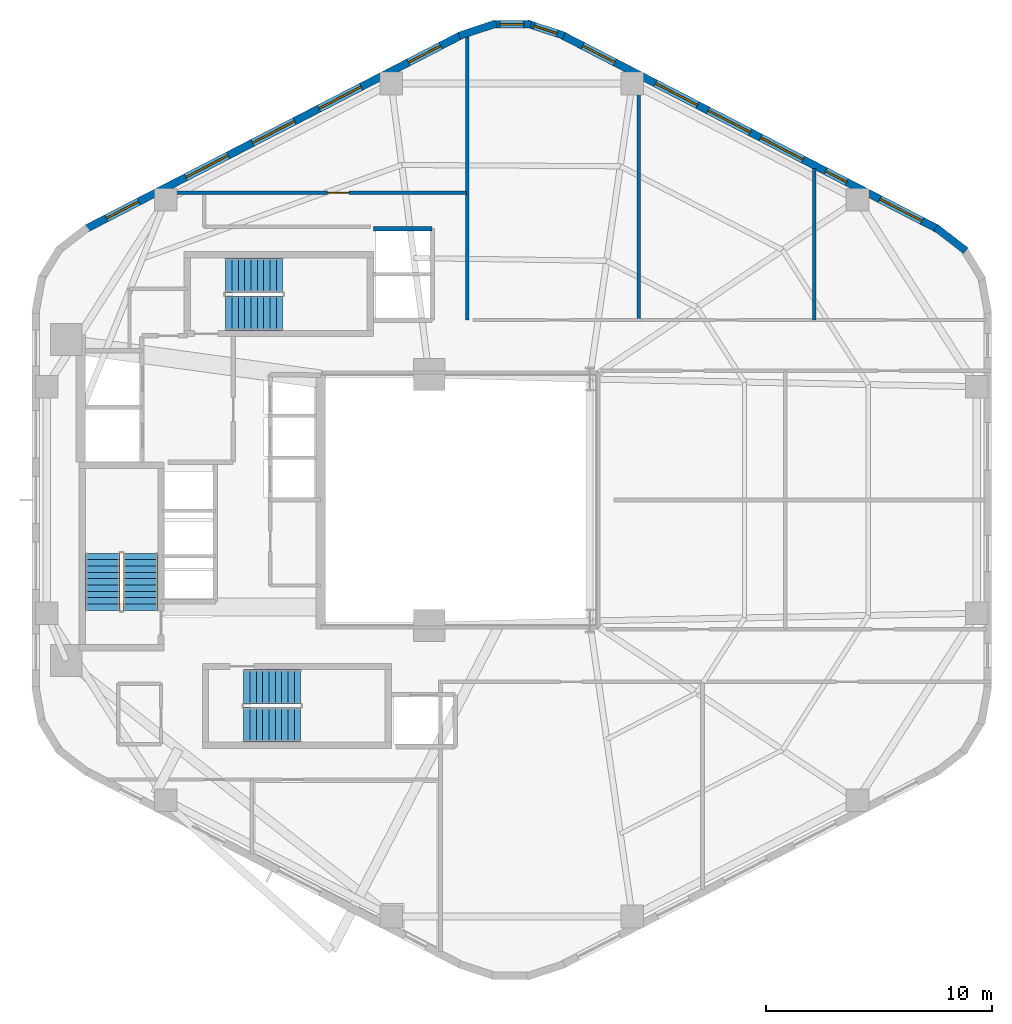
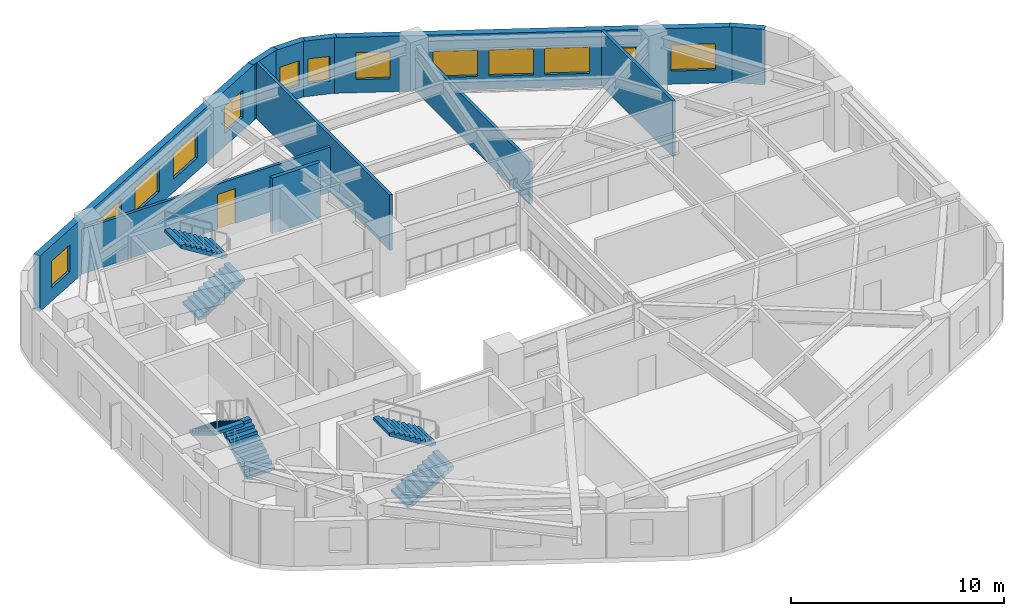
# One storey, part 5 of 6: 13 windows, 11 walls, 6 stair flights, 1 door, 14 openings, 3 elements without a shape of their own.
"""IFC4 building model written with IfcOpenShell, lengths in metres."""

from ifc_helpers import new_model, si_unit, direction, frame, frame_2d, origin, place, context, subcontext, project, spatial, polyline, rectangle, outline, extrude, material, layer, layer_set, type_object, element, fill, aggregate, save


model = new_model("IFC4")

# Units and contexts
model_context = context("Model", 3, precision=1e-05, world=origin(), true_north=direction((0.0, 1.0)))
body_context = subcontext(model_context, "Body", "Model", "MODEL_VIEW")
ifc_project = project(units=[si_unit("LENGTHUNIT", "METRE"), si_unit("AREAUNIT", "SQUARE_METRE"), si_unit("VOLUMEUNIT", "CUBIC_METRE"), si_unit("PLANEANGLEUNIT", "RADIAN"), si_unit("MASSUNIT", "GRAM", prefix="KILO"), si_unit("THERMODYNAMICTEMPERATUREUNIT", "KELVIN"), si_unit("POWERUNIT", "WATT")], contexts=[model_context])

# Site, building, storey
site_placement = place(None, origin())
site = spatial("IfcSite", under=ifc_project, at=site_placement, CompositionType="ELEMENT")
building_placement = place(site_placement, origin())
building = spatial("IfcBuilding", under=site, at=building_placement, Name="Skarre Station Tower", CompositionType="ELEMENT")
storey_placement = place(building_placement, frame((0.0, 0.0, 156.75)))
storey = spatial("IfcBuildingStorey", under=building, at=storey_placement, Name="L42", CompositionType="ELEMENT", Elevation=156.75)

# Wall, opening, door
ifc_material_1 = material(Name="Acoustic Steel-Stud Gypsum Partition", Category="steel")
ifc_layer_1 = layer(ifc_material_1, 0.14990234375, Name="Acoustic Steel-Stud Gypsum Partition")
ifc_layer_set_1 = layer_set([ifc_layer_1], Name="Acoustic Steel-Stud Gypsum Partition")
wall_type_1 = type_object("IfcWallType", Name="Fire-Rated Corridor Acoustic Partition 150", PredefinedType="PARTITIONING", material=ifc_layer_set_1)
wall_1_placement = place(storey_placement, frame((34.0, 37.580078125, 0.0), z_axis=(0.0, 0.0, 1.0), x_axis=(-1.0, 0.0, 0.0)))
wall_1 = element("IfcWall", 1, at=wall_1_placement, inside=storey, type_object=wall_type_1, Name="L42 Interior Partition WL-PT-L42-NWW1-CW", PredefinedType="PARTITIONING", context=body_context, shape_type="SweptSolid", body=[
    extrude(rectangle(XDim=13.70703125, YDim=0.14990234375, at=frame_2d((6.853515625, 0.0))), origin(), (0.0, 0.0, 1.0), 2.58203125),
])
opening_1_placement = place(wall_1_placement, frame((5.195068359375, 0.0, 0.0)))
opening_1 = element("IfcOpeningElement", 2, at=opening_1_placement, cuts=wall_1, Name="Opening DR-FD60", PredefinedType="OPENING", context=body_context, shape_type="SweptSolid", body=[
    extrude(rectangle(XDim=0.9599609375, YDim=2.0, at=frame_2d((0.47998046875, 1.0))), frame((0.0, 0.0849609375, 0.0), z_axis=(0.0, -1.0, 0.0), x_axis=(1.0, 0.0, 0.0)), (0.0, 0.0, 1.0), 0.169921875),
])
ifc_material_2 = material(Name="Nordic White-Oak Veneer Solid-Core Fire Leaf", Category="wood")
door_type = type_object("IfcDoorType", Name="Corridor Suite Entry Fire Door FD60 960x2150", OperationType="SINGLE_SWING_LEFT", PredefinedType="DOOR", material=ifc_material_2)
door_placement = place(opening_1_placement, origin())
door = element("IfcDoor", 3, at=door_placement, inside=storey, type_object=door_type, Name="L42 NWW1 Entry Door", OperationType="SINGLE_SWING_LEFT", OverallHeight=2.0, OverallWidth=0.9599609375, PredefinedType="DOOR", context=body_context, shape_type="SweptSolid", body=[
    extrude(rectangle(XDim=0.9599609375, YDim=2.0, at=frame_2d((0.47998046875, 1.0))), frame((0.0, 0.02490234375, 0.0), z_axis=(0.0, -1.0, 0.0), x_axis=(1.0, 0.0, 0.0)), (0.0, 0.0, 1.0), 0.050048828125),
])
fill(opening_1, door)

# Wall, openings, windows
ifc_material_3 = material(Name="Precast concrete C45/55", Category="concrete")
ifc_layer_2 = layer(ifc_material_3, 0.340087890625, Name="Precast concrete C45/55")
ifc_layer_set_2 = layer_set([ifc_layer_2], Name="Precast concrete C45/55")
wall_type_2 = type_object("IfcWallType", Name="Nordic Honed Precast Facet Wall 340", PredefinedType="STANDARD", material=ifc_layer_set_2)
wall_2_placement = place(storey_placement, frame((38.23095703125, 44.55810546875, 0.0), z_axis=(0.0, 0.0, 1.0), x_axis=(0.888613612362, -0.458656568606, 0.0)))
wall_2 = element("IfcWall", 4, at=wall_2_placement, inside=storey, type_object=wall_type_2, Name="L42 Facet 0 Nordic Precast Masonry Wall", PredefinedType="STANDARD", context=body_context, shape_type="SweptSolid", body=[
    extrude(rectangle(XDim=18.680908203125, YDim=0.340087890625, at=frame_2d((9.34033203125, 0.0))), origin(), (0.0, 0.0, 1.0), 3.18994140625),
])
opening_2_placement = place(wall_2_placement, frame((1.02294921875, 0.0, 0.75)))
opening_2 = element("IfcOpeningElement", 5, at=opening_2_placement, cuts=wall_2, Name="Opening WN-Z2A", PredefinedType="OPENING", context=body_context, shape_type="SweptSolid", body=[
    extrude(rectangle(XDim=1.60009765625, YDim=1.550048828125, at=frame_2d((0.800048828125, 0.77490234375))), frame((0.0, 0.179931640625, 0.0), z_axis=(0.0, -1.0, 0.0), x_axis=(1.0, 0.0, 0.0)), (0.0, 0.0, 1.0), 0.360107421875),
])
opening_3_placement = place(wall_2_placement, frame((4.637939453125, 0.0, 0.75)))
opening_3 = element("IfcOpeningElement", 6, at=opening_3_placement, cuts=wall_2, Name="Opening WN-Z2B", PredefinedType="OPENING", context=body_context, shape_type="SweptSolid", body=[
    extrude(rectangle(XDim=2.10009765625, YDim=1.5, at=frame_2d((1.050048828125, 0.75))), frame((0.0, 0.179931640625, 0.0), z_axis=(0.0, -1.0, 0.0), x_axis=(1.0, 0.0, 0.0)), (0.0, 0.0, 1.0), 0.360107421875),
])
opening_4_placement = place(wall_2_placement, frame((7.261962890625, 0.0, 0.75)))
opening_4 = element("IfcOpeningElement", 7, at=opening_4_placement, cuts=wall_2, Name="Opening WN-Z2B", PredefinedType="OPENING", context=body_context, shape_type="SweptSolid", body=[
    extrude(rectangle(XDim=2.10009765625, YDim=1.5, at=frame_2d((1.050048828125, 0.75))), frame((0.0, 0.179931640625, 0.0), z_axis=(0.0, -1.0, 0.0), x_axis=(1.0, 0.0, 0.0)), (0.0, 0.0, 1.0), 0.360107421875),
])
opening_5_placement = place(wall_2_placement, frame((9.885009765625, 0.0, 0.75)))
opening_5 = element("IfcOpeningElement", 8, at=opening_5_placement, cuts=wall_2, Name="Opening WN-Z2B", PredefinedType="OPENING", context=body_context, shape_type="SweptSolid", body=[
    extrude(rectangle(XDim=2.10009765625, YDim=1.5, at=frame_2d((1.050048828125, 0.75))), frame((0.0, 0.179931640625, 0.0), z_axis=(0.0, -1.0, 0.0), x_axis=(1.0, 0.0, 0.0)), (0.0, 0.0, 1.0), 0.360107421875),
])
opening_6_placement = place(wall_2_placement, frame((13.113037109375, 0.0, 0.75)))
opening_6 = element("IfcOpeningElement", 9, at=opening_6_placement, cuts=wall_2, Name="Opening WN-SLT", PredefinedType="OPENING", context=body_context, shape_type="SweptSolid", body=[
    extrude(rectangle(XDim=1.050048828125, YDim=1.39990234375, at=frame_2d((0.52490234375, 0.699951171875))), frame((0.0, 0.179931640625, 0.0), z_axis=(0.0, -1.0, 0.0), x_axis=(1.0, 0.0, 0.0)), (0.0, 0.0, 1.0), 0.360107421875),
])
opening_7_placement = place(wall_2_placement, frame((15.80810546875, 0.0, 0.75)))
opening_7 = element("IfcOpeningElement", 10, at=opening_7_placement, cuts=wall_2, Name="Opening WN-Z2B", PredefinedType="OPENING", context=body_context, shape_type="SweptSolid", body=[
    extrude(rectangle(XDim=2.10009765625, YDim=1.5, at=frame_2d((1.050048828125, 0.75))), frame((0.0, 0.179931640625, 0.0), z_axis=(0.0, -1.0, 0.0), x_axis=(1.0, 0.0, 0.0)), (0.0, 0.0, 1.0), 0.360107421875),
])
ifc_material_4 = material(Name="Low-Iron Triple Glazing with Bronze Anodized Frame", Category="glass")
window_type_1 = type_object("IfcWindowType", Name="Nordic Corner Slot Window 1050x1400", PartitioningType="SINGLE_PANEL", PredefinedType="WINDOW", material=ifc_material_4)
window_1_placement = place(opening_6_placement, origin())
window_1 = element("IfcWindow", 11, at=window_1_placement, inside=storey, type_object=window_type_1, Name="L42 Facade Window WL-FAC-L42-F0-5", OverallHeight=1.39990234375, OverallWidth=1.050048828125, PartitioningType="SINGLE_PANEL", PredefinedType="WINDOW", context=body_context, shape_type="SweptSolid", body=[
    extrude(rectangle(XDim=1.050048828125, YDim=1.39990234375, at=frame_2d((0.52490234375, 0.699951171875))), frame((0.0, 0.030029296875, 0.0), z_axis=(0.0, -1.0, 0.0), x_axis=(1.0, 0.0, 0.0)), (0.0, 0.0, 1.0), 0.06005859375),
])
fill(opening_6, window_1)
window_type_2 = type_object("IfcWindowType", Name="Nordic Residential Tall Window 1600x1550", PartitioningType="SINGLE_PANEL", PredefinedType="WINDOW", material=ifc_material_4)
window_2_placement = place(opening_2_placement, origin())
window_2 = element("IfcWindow", 12, at=window_2_placement, inside=storey, type_object=window_type_2, Name="L42 Facade Window WL-FAC-L42-F0-1", OverallHeight=1.550048828125, OverallWidth=1.60009765625, PartitioningType="SINGLE_PANEL", PredefinedType="WINDOW", context=body_context, shape_type="SweptSolid", body=[
    extrude(rectangle(XDim=1.60009765625, YDim=1.550048828125, at=frame_2d((0.800048828125, 0.77490234375))), frame((0.0, 0.030029296875, 0.0), z_axis=(0.0, -1.0, 0.0), x_axis=(1.0, 0.0, 0.0)), (0.0, 0.0, 1.0), 0.06005859375),
])
fill(opening_2, window_2)
window_type_3 = type_object("IfcWindowType", Name="Nordic Residential Twin Window 2100x1500", PartitioningType="SINGLE_PANEL", PredefinedType="WINDOW", material=ifc_material_4)
window_3_placement = place(opening_3_placement, origin())
window_3 = element("IfcWindow", 13, at=window_3_placement, inside=storey, type_object=window_type_3, Name="L42 Facade Window WL-FAC-L42-F0-2", OverallHeight=1.5, OverallWidth=2.10009765625, PartitioningType="SINGLE_PANEL", PredefinedType="WINDOW", context=body_context, shape_type="SweptSolid", body=[
    extrude(rectangle(XDim=2.10009765625, YDim=1.5, at=frame_2d((1.050048828125, 0.75))), frame((0.0, 0.030029296875, 0.0), z_axis=(0.0, -1.0, 0.0), x_axis=(1.0, 0.0, 0.0)), (0.0, 0.0, 1.0), 0.06005859375),
])
fill(opening_3, window_3)
window_4_placement = place(opening_4_placement, origin())
window_4 = element("IfcWindow", 14, at=window_4_placement, inside=storey, type_object=window_type_3, Name="L42 Facade Window WL-FAC-L42-F0-3", OverallHeight=1.5, OverallWidth=2.10009765625, PartitioningType="SINGLE_PANEL", PredefinedType="WINDOW", context=body_context, shape_type="SweptSolid", body=[
    extrude(rectangle(XDim=2.10009765625, YDim=1.5, at=frame_2d((1.050048828125, 0.75))), frame((0.0, 0.030029296875, 0.0), z_axis=(0.0, -1.0, 0.0), x_axis=(1.0, 0.0, 0.0)), (0.0, 0.0, 1.0), 0.06005859375),
])
fill(opening_4, window_4)
window_5_placement = place(opening_5_placement, origin())
window_5 = element("IfcWindow", 15, at=window_5_placement, inside=storey, type_object=window_type_3, Name="L42 Facade Window WL-FAC-L42-F0-4", OverallHeight=1.5, OverallWidth=2.10009765625, PartitioningType="SINGLE_PANEL", PredefinedType="WINDOW", context=body_context, shape_type="SweptSolid", body=[
    extrude(rectangle(XDim=2.10009765625, YDim=1.5, at=frame_2d((1.050048828125, 0.75))), frame((0.0, 0.030029296875, 0.0), z_axis=(0.0, -1.0, 0.0), x_axis=(1.0, 0.0, 0.0)), (0.0, 0.0, 1.0), 0.06005859375),
])
fill(opening_5, window_5)
window_6_placement = place(opening_7_placement, origin())
window_6 = element("IfcWindow", 16, at=window_6_placement, inside=storey, type_object=window_type_3, Name="L42 Facade Window WL-FAC-L42-F0-6", OverallHeight=1.5, OverallWidth=2.10009765625, PartitioningType="SINGLE_PANEL", PredefinedType="WINDOW", context=body_context, shape_type="SweptSolid", body=[
    extrude(rectangle(XDim=2.10009765625, YDim=1.5, at=frame_2d((1.050048828125, 0.75))), frame((0.0, 0.030029296875, 0.0), z_axis=(0.0, -1.0, 0.0), x_axis=(1.0, 0.0, 0.0)), (0.0, 0.0, 1.0), 0.06005859375),
])
fill(opening_7, window_6)

wall_3_placement = place(storey_placement, frame((17.1689453125, 35.989990234375, 0.0), z_axis=(0.0, 0.0, 1.0), x_axis=(0.888613612362, 0.458656568606, 0.0)))
wall_3 = element("IfcWall", 17, at=wall_3_placement, inside=storey, type_object=wall_type_2, Name="L42 Facet 1 Nordic Precast Masonry Wall", PredefinedType="STANDARD", context=body_context, shape_type="SweptSolid", body=[
    extrude(rectangle(XDim=18.680908203125, YDim=0.340087890625, at=frame_2d((9.34033203125, 0.0))), origin(), (0.0, 0.0, 1.0), 3.18994140625),
])
opening_8_placement = place(wall_3_placement, frame((1.02294921875, 0.0, 0.75)))
opening_8 = element("IfcOpeningElement", 18, at=opening_8_placement, cuts=wall_3, Name="Opening WN-Z2A", PredefinedType="OPENING", context=body_context, shape_type="SweptSolid", body=[
    extrude(rectangle(XDim=1.60009765625, YDim=1.550048828125, at=frame_2d((0.800048828125, 0.77490234375))), frame((0.0, 0.179931640625, 0.0), z_axis=(0.0, -1.0, 0.0), x_axis=(1.0, 0.0, 0.0)), (0.0, 0.0, 1.0), 0.360107421875),
])
opening_9_placement = place(wall_3_placement, frame((4.98095703125, 0.0, 0.75)))
opening_9 = element("IfcOpeningElement", 19, at=opening_9_placement, cuts=wall_3, Name="Opening WN-Z2B", PredefinedType="OPENING", context=body_context, shape_type="SweptSolid", body=[
    extrude(rectangle(XDim=2.10009765625, YDim=1.5, at=frame_2d((1.050048828125, 0.75))), frame((0.0, 0.179931640625, 0.0), z_axis=(0.0, -1.0, 0.0), x_axis=(1.0, 0.0, 0.0)), (0.0, 0.0, 1.0), 0.360107421875),
])
opening_10_placement = place(wall_3_placement, frame((8.2900390625, 0.0, 0.75)))
opening_10 = element("IfcOpeningElement", 20, at=opening_10_placement, cuts=wall_3, Name="Opening WN-Z2B", PredefinedType="OPENING", context=body_context, shape_type="SweptSolid", body=[
    extrude(rectangle(XDim=2.10009765625, YDim=1.5, at=frame_2d((1.050048828125, 0.75))), frame((0.0, 0.179931640625, 0.0), z_axis=(0.0, -1.0, 0.0), x_axis=(1.0, 0.0, 0.0)), (0.0, 0.0, 1.0), 0.360107421875),
])
opening_11_placement = place(wall_3_placement, frame((11.60009765625, 0.0, 0.75)))
opening_11 = element("IfcOpeningElement", 21, at=opening_11_placement, cuts=wall_3, Name="Opening WN-Z2B", PredefinedType="OPENING", context=body_context, shape_type="SweptSolid", body=[
    extrude(rectangle(XDim=2.10009765625, YDim=1.5, at=frame_2d((1.050048828125, 0.75))), frame((0.0, 0.179931640625, 0.0), z_axis=(0.0, -1.0, 0.0), x_axis=(1.0, 0.0, 0.0)), (0.0, 0.0, 1.0), 0.360107421875),
])
opening_12_placement = place(wall_3_placement, frame((16.05810546875, 0.0, 0.75)))
opening_12 = element("IfcOpeningElement", 22, at=opening_12_placement, cuts=wall_3, Name="Opening WN-Z2A", PredefinedType="OPENING", context=body_context, shape_type="SweptSolid", body=[
    extrude(rectangle(XDim=1.60009765625, YDim=1.550048828125, at=frame_2d((0.800048828125, 0.77490234375))), frame((0.0, 0.179931640625, 0.0), z_axis=(0.0, -1.0, 0.0), x_axis=(1.0, 0.0, 0.0)), (0.0, 0.0, 1.0), 0.360107421875),
])
window_7_placement = place(opening_8_placement, origin())
window_7 = element("IfcWindow", 23, at=window_7_placement, inside=storey, type_object=window_type_2, Name="L42 Facade Window WL-FAC-L42-F1-1", OverallHeight=1.550048828125, OverallWidth=1.60009765625, PartitioningType="SINGLE_PANEL", PredefinedType="WINDOW", context=body_context, shape_type="SweptSolid", body=[
    extrude(rectangle(XDim=1.60009765625, YDim=1.550048828125, at=frame_2d((0.800048828125, 0.77490234375))), frame((0.0, 0.030029296875, 0.0), z_axis=(0.0, -1.0, 0.0), x_axis=(1.0, 0.0, 0.0)), (0.0, 0.0, 1.0), 0.06005859375),
])
fill(opening_8, window_7)
window_8_placement = place(opening_12_placement, origin())
window_8 = element("IfcWindow", 24, at=window_8_placement, inside=storey, type_object=window_type_2, Name="L42 Facade Window WL-FAC-L42-F1-5", OverallHeight=1.550048828125, OverallWidth=1.60009765625, PartitioningType="SINGLE_PANEL", PredefinedType="WINDOW", context=body_context, shape_type="SweptSolid", body=[
    extrude(rectangle(XDim=1.60009765625, YDim=1.550048828125, at=frame_2d((0.800048828125, 0.77490234375))), frame((0.0, 0.030029296875, 0.0), z_axis=(0.0, -1.0, 0.0), x_axis=(1.0, 0.0, 0.0)), (0.0, 0.0, 1.0), 0.06005859375),
])
fill(opening_12, window_8)
window_9_placement = place(opening_9_placement, origin())
window_9 = element("IfcWindow", 25, at=window_9_placement, inside=storey, type_object=window_type_3, Name="L42 Facade Window WL-FAC-L42-F1-2", OverallHeight=1.5, OverallWidth=2.10009765625, PartitioningType="SINGLE_PANEL", PredefinedType="WINDOW", context=body_context, shape_type="SweptSolid", body=[
    extrude(rectangle(XDim=2.10009765625, YDim=1.5, at=frame_2d((1.050048828125, 0.75))), frame((0.0, 0.030029296875, 0.0), z_axis=(0.0, -1.0, 0.0), x_axis=(1.0, 0.0, 0.0)), (0.0, 0.0, 1.0), 0.06005859375),
])
fill(opening_9, window_9)
window_10_placement = place(opening_10_placement, origin())
window_10 = element("IfcWindow", 26, at=window_10_placement, inside=storey, type_object=window_type_3, Name="L42 Facade Window WL-FAC-L42-F1-3", OverallHeight=1.5, OverallWidth=2.10009765625, PartitioningType="SINGLE_PANEL", PredefinedType="WINDOW", context=body_context, shape_type="SweptSolid", body=[
    extrude(rectangle(XDim=2.10009765625, YDim=1.5, at=frame_2d((1.050048828125, 0.75))), frame((0.0, 0.030029296875, 0.0), z_axis=(0.0, -1.0, 0.0), x_axis=(1.0, 0.0, 0.0)), (0.0, 0.0, 1.0), 0.06005859375),
])
fill(opening_10, window_10)
window_11_placement = place(opening_11_placement, origin())
window_11 = element("IfcWindow", 27, at=window_11_placement, inside=storey, type_object=window_type_3, Name="L42 Facade Window WL-FAC-L42-F1-4", OverallHeight=1.5, OverallWidth=2.10009765625, PartitioningType="SINGLE_PANEL", PredefinedType="WINDOW", context=body_context, shape_type="SweptSolid", body=[
    extrude(rectangle(XDim=2.10009765625, YDim=1.5, at=frame_2d((1.050048828125, 0.75))), frame((0.0, 0.030029296875, 0.0), z_axis=(0.0, -1.0, 0.0), x_axis=(1.0, 0.0, 0.0)), (0.0, 0.0, 1.0), 0.06005859375),
])
fill(opening_11, window_11)

# Walls
ifc_layer_3 = layer(ifc_material_3, 0.330078125, Name="Precast concrete C45/55")
ifc_layer_set_3 = layer_set([ifc_layer_3], Name="Precast concrete C45/55")
wall_type_3 = type_object("IfcWallType", Name="Nordic Rounded Corner Precast Wall 330", PredefinedType="STANDARD", material=ifc_layer_set_3)
wall_4_placement = place(storey_placement, frame((54.757080078125, 36.050048828125, 0.0), z_axis=(0.0, 0.0, 1.0), x_axis=(0.790621329885, -0.612305408053, 0.0)))
element("IfcWall", 28, at=wall_4_placement, inside=storey, type_object=wall_type_3, Name="L42 Rounded Corner Precast Wall F0-1", PredefinedType="STANDARD", context=body_context, shape_type="SweptSolid", body=[
    extrude(rectangle(XDim=1.67578125, YDim=0.330078125, at=frame_2d((0.837890625, 0.0))), origin(), (0.0, 0.0, 1.0), 3.18994140625),
])
wall_5_placement = place(storey_placement, frame((33.680908203125, 44.531982421875, 0.0), z_axis=(0.0, 0.0, 1.0), x_axis=(0.949937416267, 0.312440242569, 0.0)))
element("IfcWall", 29, at=wall_5_placement, inside=storey, type_object=wall_type_3, Name="L42 Rounded Corner Precast Wall F1-1", PredefinedType="STANDARD", context=body_context, shape_type="SweptSolid", body=[
    extrude(rectangle(XDim=1.72216796875, YDim=0.330078125, at=frame_2d((0.861083984375, 0.0))), origin(), (0.0, 0.0, 1.0), 3.18994140625),
])

# Wall, opening, window
wall_6_placement = place(storey_placement, frame((35.138916015625, 45.041015625, 0.0), z_axis=(0.0, 0.0, 1.0), x_axis=(1.0, 0.0, 0.0)))
wall_6 = element("IfcWall", 30, at=wall_6_placement, inside=storey, type_object=wall_type_3, Name="L42 Rounded Corner Precast Wall F1-2", PredefinedType="STANDARD", context=body_context, shape_type="SweptSolid", body=[
    extrude(rectangle(XDim=1.72216796875, YDim=0.330078125, at=frame_2d((0.861083984375, 0.0))), origin(), (0.0, 0.0, 1.0), 3.18994140625),
])
opening_13_placement = place(wall_6_placement, frame((0.3359375, 0.0, 0.75)))
opening_13 = element("IfcOpeningElement", 31, at=opening_13_placement, cuts=wall_6, Name="Opening WN-SLT", PredefinedType="OPENING", context=body_context, shape_type="SweptSolid", body=[
    extrude(rectangle(XDim=1.050048828125, YDim=1.39990234375, at=frame_2d((0.52490234375, 0.699951171875))), frame((0.0, 0.175048828125, 0.0), z_axis=(0.0, -1.0, 0.0), x_axis=(1.0, 0.0, 0.0)), (0.0, 0.0, 1.0), 0.35009765625),
])
window_12_placement = place(opening_13_placement, origin())
window_12 = element("IfcWindow", 32, at=window_12_placement, inside=storey, type_object=window_type_1, Name="L42 Apex Corner Slot Window F1-2", OverallHeight=1.39990234375, OverallWidth=1.050048828125, PartitioningType="SINGLE_PANEL", PredefinedType="WINDOW", context=body_context, shape_type="SweptSolid", body=[
    extrude(rectangle(XDim=1.050048828125, YDim=1.39990234375, at=frame_2d((0.52490234375, 0.699951171875))), frame((0.0, 0.030029296875, 0.0), z_axis=(0.0, -1.0, 0.0), x_axis=(1.0, 0.0, 0.0)), (0.0, 0.0, 1.0), 0.06005859375),
])
fill(opening_13, window_12)

wall_7_placement = place(storey_placement, frame((36.68310546875, 45.070068359375, 0.0), z_axis=(0.0, 0.0, 1.0), x_axis=(0.949937416267, -0.312440242569, 0.0)))
wall_7 = element("IfcWall", 33, at=wall_7_placement, inside=storey, type_object=wall_type_3, Name="L42 Rounded Corner Precast Wall F1-3", PredefinedType="STANDARD", context=body_context, shape_type="SweptSolid", body=[
    extrude(rectangle(XDim=1.72216796875, YDim=0.330078125, at=frame_2d((0.861083984375, 0.0))), origin(), (0.0, 0.0, 1.0), 3.18994140625),
])
opening_14_placement = place(wall_7_placement, frame((0.3359375, 0.0, 0.75)))
opening_14 = element("IfcOpeningElement", 34, at=opening_14_placement, cuts=wall_7, Name="Opening WN-SLT", PredefinedType="OPENING", context=body_context, shape_type="SweptSolid", body=[
    extrude(rectangle(XDim=1.050048828125, YDim=1.39990234375, at=frame_2d((0.52490234375, 0.699951171875))), frame((0.0, 0.175048828125, 0.0), z_axis=(0.0, -1.0, 0.0), x_axis=(1.0, 0.0, 0.0)), (0.0, 0.0, 1.0), 0.35009765625),
])
window_13_placement = place(opening_14_placement, origin())
window_13 = element("IfcWindow", 35, at=window_13_placement, inside=storey, type_object=window_type_1, Name="L42 Apex Corner Slot Window F1-3", OverallHeight=1.39990234375, OverallWidth=1.050048828125, PartitioningType="SINGLE_PANEL", PredefinedType="WINDOW", context=body_context, shape_type="SweptSolid", body=[
    extrude(rectangle(XDim=1.050048828125, YDim=1.39990234375, at=frame_2d((0.52490234375, 0.699951171875))), frame((0.0, 0.030029296875, 0.0), z_axis=(0.0, -1.0, 0.0), x_axis=(1.0, 0.0, 0.0)), (0.0, 0.0, 1.0), 0.06005859375),
])
fill(opening_14, window_13)

# Walls
ifc_material_5 = material(Name="Gypsum Concrete Shaft Assembly C30/37", Category="concrete")
ifc_layer_4 = layer(ifc_material_5, 0.199951171875, Name="Gypsum Concrete Shaft Assembly C30/37")
ifc_layer_set_4 = layer_set([ifc_layer_4], Name="Gypsum Concrete Shaft Assembly C30/37")
wall_type_4 = type_object("IfcWallType", Name="Shaft & Core Fire Partition 200", PredefinedType="PARTITIONING", material=ifc_layer_set_4)
wall_8_placement = place(storey_placement, frame((29.8798828125, 36.0, 0.0), z_axis=(0.0, 0.0, 1.0), x_axis=(1.0, 0.0, 0.0)))
element("IfcWall", 36, at=wall_8_placement, inside=storey, type_object=wall_type_4, Name="L42 Interior Partition WL-PT-L42-EX-N", PredefinedType="PARTITIONING", context=body_context, shape_type="SweptSolid", body=[
    extrude(rectangle(XDim=2.60009765625, YDim=0.199951171875, at=frame_2d((1.300048828125, 0.0))), origin(), (0.0, 0.0, 1.0), 3.18994140625),
])
ifc_layer_5 = layer(ifc_material_1, 0.1650390625, Name="Acoustic Steel-Stud Gypsum Partition")
ifc_layer_set_5 = layer_set([ifc_layer_5], Name="Acoustic Steel-Stud Gypsum Partition")
wall_type_5 = type_object("IfcWallType", Name="Suite Demising Acoustic Partition 165", PredefinedType="PARTITIONING", material=ifc_layer_set_5)
wall_9_placement = place(storey_placement, frame((34.0400390625, 31.9599609375, 0.0), z_axis=(0.0, 0.0, 1.0), x_axis=(0.0, 1.0, 0.0)))
element("IfcWall", 37, at=wall_9_placement, inside=storey, type_object=wall_type_5, Name="L42 Interior Partition WL-PT-L42-NW-WBND", PredefinedType="PARTITIONING", context=body_context, shape_type="SweptSolid", body=[
    extrude(rectangle(XDim=12.55810546875, YDim=0.1650390625, at=frame_2d((6.279052734375, 0.0))), origin(), (0.0, 0.0, 1.0), 3.18994140625),
])
wall_10_placement = place(storey_placement, frame((41.616943359375, 31.969970703125, 0.0), z_axis=(0.0, 0.0, 1.0), x_axis=(0.0, 1.0, 0.0)))
element("IfcWall", 38, at=wall_10_placement, inside=storey, type_object=wall_type_5, Name="L42 Interior Partition WL-PT-L42-NW-P1", PredefinedType="PARTITIONING", context=body_context, shape_type="SweptSolid", body=[
    extrude(rectangle(XDim=10.705078125, YDim=0.1650390625, at=frame_2d((5.3525390625, 0.0))), origin(), (0.0, 0.0, 1.0), 2.419921875),
])
wall_11_placement = place(storey_placement, frame((49.381103515625, 31.969970703125, 0.0), z_axis=(0.0, 0.0, 1.0), x_axis=(0.0, 1.0, 0.0)))
element("IfcWall", 39, at=wall_11_placement, inside=storey, type_object=wall_type_5, Name="L42 Interior Partition WL-PT-L42-NW-P2", PredefinedType="PARTITIONING", context=body_context, shape_type="SweptSolid", body=[
    extrude(rectangle(XDim=6.697998046875, YDim=0.1650390625, at=frame_2d((3.34912109375, 0.0))), origin(), (0.0, 0.0, 1.0), 3.18994140625),
])

# Stair, stair flights
ifc_material_6 = material(Name="Concrete C40/50", Category="concrete")
stair_type_1 = type_object("IfcStairType", Name="Reinforced Concrete Exit Stair ST-1", PredefinedType="HALF_TURN_STAIR", material=ifc_material_6)
stair_1_placement = place(storey_placement, origin())
stair_1 = element("IfcStair", 40, at=stair_1_placement, inside=storey, type_object=stair_type_1, Name="L42 Core Exit Stair ST-1", PredefinedType="HALF_TURN_STAIR")
stair_flight_type_1 = type_object("IfcStairFlightType", Name="Reinforced Concrete Stair Flight ST-1", PredefinedType="STRAIGHT", material=ifc_material_6)
stair_flight_1_placement = place(storey_placement, frame((19.590087890625, 19.1201171875, 0.0), z_axis=(0.0, 0.0, 1.0), x_axis=(0.0, 1.0, 0.0)))
stair_flight_1 = element("IfcStairFlight", 41, at=stair_flight_1_placement, type_object=stair_flight_type_1, Name="ST-1 flight 1", NumberOfRisers=10, NumberOfTreads=9, PredefinedType="STRAIGHT", RiserHeight=0.1725, TreadLength=0.28, context=body_context, shape_type="SweptSolid", body=[
    extrude(outline(polyline([(0.0, 0.0), (0.0, 0.172607421875), (0.280029296875, 0.172607421875), (0.280029296875, 0.344970703125), (0.56005859375, 0.344970703125), (0.56005859375, 0.517578125), (0.840087890625, 0.517578125), (0.840087890625, 0.68994140625), (1.1201171875, 0.68994140625), (1.1201171875, 0.862548828125), (1.39990234375, 0.862548828125), (1.39990234375, 1.034912109375), (1.679931640625, 1.034912109375), (1.679931640625, 1.20751953125), (1.9599609375, 1.20751953125), (1.9599609375, 1.3798828125), (2.239990234375, 1.3798828125), (2.239990234375, 1.552490234375), (2.52001953125, 1.552490234375), (2.52001953125, 1.72509765625), (2.52001953125, 1.37646484375), (0.285888671875, 0.0), (0.0, 0.0)])), frame((0.0, 0.760009765625, 0.0), z_axis=(0.0, -1.0, 0.0), x_axis=(1.0, 0.0, 0.0)), (0.0, 0.0, 1.0), 1.52001953125),
])
stair_flight_2_placement = place(storey_placement, frame((17.909912109375, 21.639892578125, 1.72509765625), z_axis=(0.0, 0.0, 1.0), x_axis=(0.0, -1.0, 0.0)))
stair_flight_2 = element("IfcStairFlight", 42, at=stair_flight_2_placement, type_object=stair_flight_type_1, Name="ST-1 flight 2", NumberOfRisers=10, NumberOfTreads=9, PredefinedType="STRAIGHT", RiserHeight=0.1725, TreadLength=0.28, context=body_context, shape_type="SweptSolid", body=[
    extrude(outline(polyline([(0.0, 0.0), (0.0, 0.172607421875), (0.280029296875, 0.172607421875), (0.280029296875, 0.344970703125), (0.56005859375, 0.344970703125), (0.56005859375, 0.517578125), (0.840087890625, 0.517578125), (0.840087890625, 0.68994140625), (1.1201171875, 0.68994140625), (1.1201171875, 0.862548828125), (1.39990234375, 0.862548828125), (1.39990234375, 1.034912109375), (1.679931640625, 1.034912109375), (1.679931640625, 1.20751953125), (1.9599609375, 1.20751953125), (1.9599609375, 1.3798828125), (2.239990234375, 1.3798828125), (2.239990234375, 1.552490234375), (2.52001953125, 1.552490234375), (2.52001953125, 1.72509765625), (2.52001953125, 1.37646484375), (0.285888671875, 0.0), (0.0, 0.0)])), frame((0.0, 0.760009765625, 0.0), z_axis=(0.0, -1.0, 0.0), x_axis=(1.0, 0.0, 0.0)), (0.0, 0.0, 1.0), 1.52001953125),
])
aggregate(stair_1, [stair_flight_1, stair_flight_2])

stair_type_2 = type_object("IfcStairType", Name="Reinforced Concrete Exit Stair ST-2", PredefinedType="HALF_TURN_STAIR", material=ifc_material_6)
stair_2_placement = place(storey_placement, origin())
stair_2 = element("IfcStair", 43, at=stair_2_placement, inside=storey, type_object=stair_type_2, Name="L42 Core Exit Stair ST-2", PredefinedType="HALF_TURN_STAIR")
stair_flight_type_2 = type_object("IfcStairFlightType", Name="Reinforced Concrete Stair Flight ST-2", PredefinedType="STRAIGHT", material=ifc_material_6)
stair_flight_3_placement = place(storey_placement, frame((24.14990234375, 14.06005859375, 0.0), z_axis=(0.0, 0.0, 1.0), x_axis=(1.0, 0.0, 0.0)))
stair_flight_3 = element("IfcStairFlight", 44, at=stair_flight_3_placement, type_object=stair_flight_type_2, Name="ST-2 flight 1", NumberOfRisers=10, NumberOfTreads=9, PredefinedType="STRAIGHT", RiserHeight=0.1725, TreadLength=0.28, context=body_context, shape_type="SweptSolid", body=[
    extrude(outline(polyline([(0.0, 0.0), (0.0, 0.172607421875), (0.280029296875, 0.172607421875), (0.280029296875, 0.344970703125), (0.56005859375, 0.344970703125), (0.56005859375, 0.517578125), (0.840087890625, 0.517578125), (0.840087890625, 0.68994140625), (1.1201171875, 0.68994140625), (1.1201171875, 0.862548828125), (1.39990234375, 0.862548828125), (1.39990234375, 1.034912109375), (1.679931640625, 1.034912109375), (1.679931640625, 1.20751953125), (1.9599609375, 1.20751953125), (1.9599609375, 1.3798828125), (2.239990234375, 1.3798828125), (2.239990234375, 1.552490234375), (2.52001953125, 1.552490234375), (2.52001953125, 1.72509765625), (2.52001953125, 1.37646484375), (0.285888671875, 0.0), (0.0, 0.0)])), frame((0.0, 0.760009765625, 0.0), z_axis=(0.0, -1.0, 0.0), x_axis=(1.0, 0.0, 0.0)), (0.0, 0.0, 1.0), 1.52001953125),
])
stair_flight_4_placement = place(storey_placement, frame((26.669921875, 15.739990234375, 1.72509765625), z_axis=(0.0, 0.0, 1.0), x_axis=(-1.0, 0.0, 0.0)))
stair_flight_4 = element("IfcStairFlight", 45, at=stair_flight_4_placement, type_object=stair_flight_type_2, Name="ST-2 flight 2", NumberOfRisers=10, NumberOfTreads=9, PredefinedType="STRAIGHT", RiserHeight=0.1725, TreadLength=0.28, context=body_context, shape_type="SweptSolid", body=[
    extrude(outline(polyline([(0.0, 0.0), (0.0, 0.172607421875), (0.280029296875, 0.172607421875), (0.280029296875, 0.344970703125), (0.56005859375, 0.344970703125), (0.56005859375, 0.517578125), (0.840087890625, 0.517578125), (0.840087890625, 0.68994140625), (1.1201171875, 0.68994140625), (1.1201171875, 0.862548828125), (1.39990234375, 0.862548828125), (1.39990234375, 1.034912109375), (1.679931640625, 1.034912109375), (1.679931640625, 1.20751953125), (1.9599609375, 1.20751953125), (1.9599609375, 1.3798828125), (2.239990234375, 1.3798828125), (2.239990234375, 1.552490234375), (2.52001953125, 1.552490234375), (2.52001953125, 1.72509765625), (2.52001953125, 1.37646484375), (0.285888671875, 0.0), (0.0, 0.0)])), frame((0.0, 0.760009765625, 0.0), z_axis=(0.0, -1.0, 0.0), x_axis=(1.0, 0.0, 0.0)), (0.0, 0.0, 1.0), 1.52001953125),
])
aggregate(stair_2, [stair_flight_3, stair_flight_4])

stair_type_3 = type_object("IfcStairType", Name="Reinforced Concrete Exit Stair ST-3", PredefinedType="HALF_TURN_STAIR", material=ifc_material_6)
stair_3_placement = place(storey_placement, origin())
stair_3 = element("IfcStair", 46, at=stair_3_placement, inside=storey, type_object=stair_type_3, Name="L42 Core Exit Stair ST-3", PredefinedType="HALF_TURN_STAIR")
stair_flight_type_3 = type_object("IfcStairFlightType", Name="Reinforced Concrete Stair Flight ST-3", PredefinedType="STRAIGHT", material=ifc_material_6)
stair_flight_5_placement = place(storey_placement, frame((23.35009765625, 32.260009765625, 0.0), z_axis=(0.0, 0.0, 1.0), x_axis=(1.0, 0.0, 0.0)))
stair_flight_5 = element("IfcStairFlight", 47, at=stair_flight_5_placement, type_object=stair_flight_type_3, Name="ST-3 flight 1", NumberOfRisers=10, NumberOfTreads=9, PredefinedType="STRAIGHT", RiserHeight=0.1725, TreadLength=0.28, context=body_context, shape_type="SweptSolid", body=[
    extrude(outline(polyline([(0.0, 0.0), (0.0, 0.172607421875), (0.280029296875, 0.172607421875), (0.280029296875, 0.344970703125), (0.56005859375, 0.344970703125), (0.56005859375, 0.517578125), (0.840087890625, 0.517578125), (0.840087890625, 0.68994140625), (1.1201171875, 0.68994140625), (1.1201171875, 0.862548828125), (1.39990234375, 0.862548828125), (1.39990234375, 1.034912109375), (1.679931640625, 1.034912109375), (1.679931640625, 1.20751953125), (1.9599609375, 1.20751953125), (1.9599609375, 1.3798828125), (2.239990234375, 1.3798828125), (2.239990234375, 1.552490234375), (2.52001953125, 1.552490234375), (2.52001953125, 1.72509765625), (2.52001953125, 1.37646484375), (0.285888671875, 0.0), (0.0, 0.0)])), frame((0.0, 0.760009765625, 0.0), z_axis=(0.0, -1.0, 0.0), x_axis=(1.0, 0.0, 0.0)), (0.0, 0.0, 1.0), 1.52001953125),
])
stair_flight_6_placement = place(storey_placement, frame((25.8701171875, 33.93994140625, 1.72509765625), z_axis=(0.0, 0.0, 1.0), x_axis=(-1.0, 0.0, 0.0)))
stair_flight_6 = element("IfcStairFlight", 48, at=stair_flight_6_placement, type_object=stair_flight_type_3, Name="ST-3 flight 2", NumberOfRisers=10, NumberOfTreads=9, PredefinedType="STRAIGHT", RiserHeight=0.1725, TreadLength=0.28, context=body_context, shape_type="SweptSolid", body=[
    extrude(outline(polyline([(0.0, 0.0), (0.0, 0.172607421875), (0.280029296875, 0.172607421875), (0.280029296875, 0.344970703125), (0.56005859375, 0.344970703125), (0.56005859375, 0.517578125), (0.840087890625, 0.517578125), (0.840087890625, 0.68994140625), (1.1201171875, 0.68994140625), (1.1201171875, 0.862548828125), (1.39990234375, 0.862548828125), (1.39990234375, 1.034912109375), (1.679931640625, 1.034912109375), (1.679931640625, 1.20751953125), (1.9599609375, 1.20751953125), (1.9599609375, 1.3798828125), (2.239990234375, 1.3798828125), (2.239990234375, 1.552490234375), (2.52001953125, 1.552490234375), (2.52001953125, 1.72509765625), (2.52001953125, 1.37646484375), (0.285888671875, 0.0), (0.0, 0.0)])), frame((0.0, 0.760009765625, 0.0), z_axis=(0.0, -1.0, 0.0), x_axis=(1.0, 0.0, 0.0)), (0.0, 0.0, 1.0), 1.52001953125),
])
aggregate(stair_3, [stair_flight_5, stair_flight_6])

save(model, "model.ifc")
